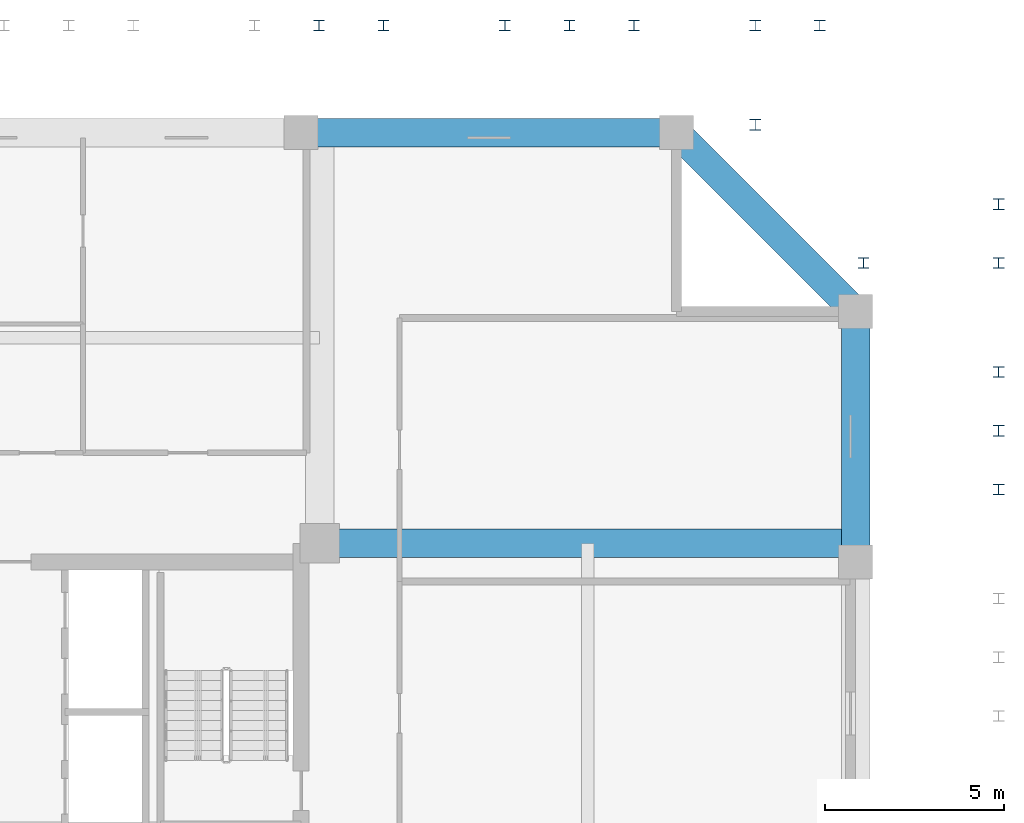
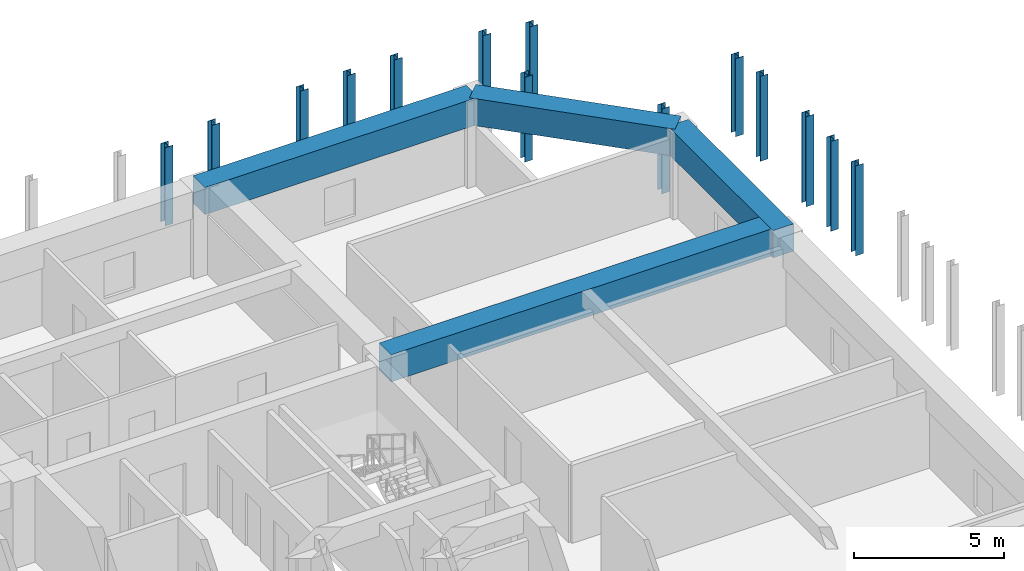
# One storey, part 6 of 13: 14 members, 4 beams.
"""IFC4 building model written with IfcOpenShell, lengths in metres."""

from ifc_helpers import new_model, si_unit, direction, frame, origin, origin_2d, place, context, subcontext, project, spatial, rectangle, i_section, extrude, source, transform, mapped, material, material_profile, profile_set, type_object, element, save


model = new_model("IFC4")

# Units and contexts
model_context = context("Model", 3, precision=1e-05, world=origin(), true_north=direction((0.0, 1.0)))
body_context = subcontext(model_context, "Body", "Model", "MODEL_VIEW")
ifc_project = project(units=[si_unit("LENGTHUNIT", "METRE"), si_unit("AREAUNIT", "SQUARE_METRE"), si_unit("VOLUMEUNIT", "CUBIC_METRE"), si_unit("PLANEANGLEUNIT", "RADIAN"), si_unit("MASSUNIT", "GRAM", prefix="KILO")], contexts=[model_context])

# Site, building, storey
site_placement = place(None, origin())
site = spatial("IfcSite", under=ifc_project, at=site_placement, CompositionType="ELEMENT")
building_placement = place(site_placement, origin())
building = spatial("IfcBuilding", under=site, at=building_placement, Name="Saelheon Loggia Tower", CompositionType="ELEMENT")
storey_placement = place(building_placement, frame((0.0, 0.0, 148.699951171875)))
storey = spatial("IfcBuildingStorey", under=building, at=storey_placement, Name="L47", CompositionType="ELEMENT", Elevation=148.699951171875)

# Members
ifc_material_1 = material(Name="Steel SM355", Category="steel")
ifc_material_profile_1 = material_profile(ifc_material_1, i_section(OverallWidth=0.300048828125, OverallDepth=0.300048828125, WebThickness=0.010009765625, FlangeThickness=0.014892578125, at=origin_2d()), Name="H-300x300x10x15")
ifc_profile_set_1 = profile_set([ifc_material_profile_1], Name="Steel SM355")
member_type_1 = type_object("IfcMemberType", Name="WaveCrest_Post_H300", PredefinedType="POST", material=ifc_profile_set_1)
shared_shape_1 = source(origin(), body_context, "Body", "SweptSolid", [
    extrude(i_section(OverallWidth=0.300048828125, OverallDepth=0.300048828125, WebThickness=0.010009765625, FlangeThickness=0.014892578125, at=origin_2d()), origin(), (0.0, 0.0, 1.0), 3.169921875),
])
for number, where, z_axis, x_axis, name in (
    (1, (64.0, 46.0, -0.14990234375), (0.0, 0.0, 1.0), (1.0, 0.0, 0.0), "Tier 1 Wave Crest Lower Post E 06"),
    (2, (45.0, 51.0, -0.14990234375), (0.0, 0.0, 1.0), (1.0, 0.0, 0.0), "Tier 1 Wave Crest Lower Post N 04"),
    (3, (59.0, 51.0, -0.14990234375), (0.0, 0.0, 1.0), (1.0, 0.0, 0.0), "Tier 1 Wave Crest Lower Post N 06"),
):
    element("IfcMember", number, at=place(storey_placement, frame(where, z_axis=z_axis, x_axis=x_axis)), inside=storey, type_object=member_type_1, Name=name, PredefinedType="POST", context=body_context, shape_type="MappedRepresentation", body=[
        mapped(shared_shape_1, transform((0.0, 0.0, 0.0), scale=1.0)),
    ])
shared_shape_2 = source(origin(), body_context, "Body", "SweptSolid", [
    extrude(i_section(OverallWidth=0.300048828125, OverallDepth=0.300048828125, WebThickness=0.010009765625, FlangeThickness=0.014892578125, at=origin_2d()), origin(), (0.0, 0.0, 1.0), 3.64990234375),
])
for number, where, z_axis, x_axis, name in (
    (4, (64.0, 39.666748046875, -0.14990234375), (0.0, 0.0, 1.0), (1.0, 0.0, 0.0), "Tier 1 Wave Crest Lower Post E 05"),
    (5, (64.0, 38.02197265625, -0.14990234375), (0.0, 0.0, 1.0), (1.0, 0.0, 0.0), "Tier 1 Rafter Outer Lower Post E 05"),
    (6, (64.0, 41.3115234375, -0.14990234375), (0.0, 0.0, 1.0), (1.0, 0.0, 0.0), "Tier 1 Rafter Outer Lower Post E 06"),
    (7, (52.0, 51.0, -0.14990234375), (0.0, 0.0, 1.0), (1.0, 0.0, 0.0), "Tier 1 Wave Crest Lower Post N 05"),
    (8, (50.1953125, 51.0, -0.14990234375), (0.0, 0.0, 1.0), (1.0, 0.0, 0.0), "Tier 1 Rafter Outer Lower Post N 05"),
    (9, (53.8046875, 51.0, -0.14990234375), (0.0, 0.0, 1.0), (1.0, 0.0, 0.0), "Tier 1 Rafter Outer Lower Post N 06"),
):
    element("IfcMember", number, at=place(storey_placement, frame(where, z_axis=z_axis, x_axis=x_axis)), inside=storey, type_object=member_type_1, Name=name, PredefinedType="POST", context=body_context, shape_type="MappedRepresentation", body=[
        mapped(shared_shape_2, transform((0.0, 0.0, 0.0), scale=1.0)),
    ])
shared_shape_3 = source(origin(), body_context, "Body", "SweptSolid", [
    extrude(i_section(OverallWidth=0.300048828125, OverallDepth=0.300048828125, WebThickness=0.010009765625, FlangeThickness=0.014892578125, at=origin_2d()), origin(), (0.0, 0.0, 1.0), 3.44189453125),
])
member_1_placement = place(storey_placement, frame((64.0, 44.355224609375, -0.14990234375), z_axis=(0.0, 0.0, 1.0), x_axis=(1.0, 0.0, 0.0)))
element("IfcMember", 10, at=member_1_placement, inside=storey, type_object=member_type_1, Name="Tier 1 Rafter Outer Lower Post E 06", PredefinedType="POST", context=body_context, shape_type="MappedRepresentation", body=[
    mapped(shared_shape_3, transform((0.0, 0.0, 0.0), scale=1.0)),
])
ifc_material_profile_2 = material_profile(ifc_material_1, i_section(OverallWidth=0.300048828125, OverallDepth=0.300048828125, WebThickness=0.010009765625, FlangeThickness=0.014892578125, at=origin_2d()), Name="H-300x300x10x15")
ifc_profile_set_2 = profile_set([ifc_material_profile_2], Name="Steel SM355")
member_type_2 = type_object("IfcMemberType", Name="Belt_Post_H300", PredefinedType="POST", material=ifc_profile_set_2)
member_2_placement = place(storey_placement, frame((60.219970703125, 44.355224609375, -0.14990234375), z_axis=(0.0, 0.0, 1.0), x_axis=(1.0, 0.0, 0.0)))
element("IfcMember", 11, at=member_2_placement, inside=storey, type_object=member_type_2, Name="Tier 1 Rafter Inner Lower Post E 06", PredefinedType="POST", context=body_context, shape_type="MappedRepresentation", body=[
    mapped(shared_shape_3, transform((0.0, 0.0, 0.0), scale=1.0)),
])
shared_shape_4 = source(origin(), body_context, "Body", "SweptSolid", [
    extrude(i_section(OverallWidth=0.300048828125, OverallDepth=0.300048828125, WebThickness=0.010009765625, FlangeThickness=0.014892578125, at=origin_2d()), origin(), (0.0, 0.0, 1.0), 3.446044921875),
])
for number, where, z_axis, x_axis, name in (
    (12, (46.8046875, 51.0, -0.14990234375), (0.0, 0.0, 1.0), (1.0, 0.0, 0.0), "Tier 1 Rafter Outer Lower Post N 05"),
    (13, (57.1953125, 51.0, -0.14990234375), (0.0, 0.0, 1.0), (1.0, 0.0, 0.0), "Tier 1 Rafter Outer Lower Post N 06"),
):
    element("IfcMember", number, at=place(storey_placement, frame(where, z_axis=z_axis, x_axis=x_axis)), inside=storey, type_object=member_type_1, Name=name, PredefinedType="POST", context=body_context, shape_type="MappedRepresentation", body=[
        mapped(shared_shape_4, transform((0.0, 0.0, 0.0), scale=1.0)),
    ])
member_3_placement = place(storey_placement, frame((57.1953125, 48.219970703125, -0.14990234375), z_axis=(0.0, 0.0, 1.0), x_axis=(1.0, 0.0, 0.0)))
element("IfcMember", 14, at=member_3_placement, inside=storey, type_object=member_type_2, Name="Tier 1 Rafter Inner Lower Post N 06", PredefinedType="POST", context=body_context, shape_type="MappedRepresentation", body=[
    mapped(shared_shape_4, transform((0.0, 0.0, 0.0), scale=1.0)),
])

# Beams
ifc_material_2 = material(Name="Concrete C50/60", Category="concrete")
ifc_material_profile_3 = material_profile(ifc_material_2, rectangle(XDim=0.800048828125, YDim=1.10009765625, at=origin_2d()), Name="RC-800x1100")
ifc_profile_set_3 = profile_set([ifc_material_profile_3], Name="Concrete C50/60")
beam_type_1 = type_object("IfcBeamType", Name="Beam_PerimSetback_RC800x1100", PredefinedType="BEAM", material=ifc_profile_set_3)
shared_shape_5 = source(origin(), body_context, "Body", "SweptSolid", [
    extrude(rectangle(XDim=0.800048828125, YDim=1.10009765625, at=origin_2d()), origin(), (0.0, 0.0, 1.0), 10.5),
])
beam_1_placement = place(storey_placement, frame((55.0, 48.0, 2.949951171875), z_axis=(-1.0, 0.0, 0.0), x_axis=(0.0, -1.0, 0.0)))
element("IfcBeam", 15, at=beam_1_placement, inside=storey, type_object=beam_type_1, Name="L47 Perimeter Frame Girder 09", PredefinedType="BEAM", context=body_context, shape_type="MappedRepresentation", body=[
    mapped(shared_shape_5, transform((0.0, 0.0, 0.0), scale=1.0)),
])
shared_shape_6 = source(origin(), body_context, "Body", "SweptSolid", [
    extrude(rectangle(XDim=0.800048828125, YDim=1.10009765625, at=origin_2d()), origin(), (0.0, 0.0, 1.0), 7.071044921875),
])
beam_2_placement = place(storey_placement, frame((60.0, 43.0, 2.949951171875), z_axis=(-0.707106781187, 0.707106781187, 0.0), x_axis=(-0.707106781187, -0.707106781187, 0.0)))
element("IfcBeam", 16, at=beam_2_placement, inside=storey, type_object=beam_type_1, Name="L47 Perimeter Frame Girder 08", PredefinedType="BEAM", context=body_context, shape_type="MappedRepresentation", body=[
    mapped(shared_shape_6, transform((0.0, 0.0, 0.0), scale=1.0)),
])
shared_shape_7 = source(origin(), body_context, "Body", "SweptSolid", [
    extrude(rectangle(XDim=0.800048828125, YDim=1.10009765625, at=origin_2d()), origin(), (0.0, 0.0, 1.0), 7.0),
])
beam_3_placement = place(storey_placement, frame((60.0, 36.0, 2.949951171875), z_axis=(0.0, 1.0, 0.0), x_axis=(-1.0, 0.0, 0.0)))
element("IfcBeam", 17, at=beam_3_placement, inside=storey, type_object=beam_type_1, Name="L47 Perimeter Frame Girder 07", PredefinedType="BEAM", context=body_context, shape_type="MappedRepresentation", body=[
    mapped(shared_shape_7, transform((0.0, 0.0, 0.0), scale=1.0)),
])
ifc_material_profile_4 = material_profile(ifc_material_2, rectangle(XDim=0.800048828125, YDim=1.10009765625, at=origin_2d()), Name="RC-800x1100")
ifc_profile_set_4 = profile_set([ifc_material_profile_4], Name="Concrete C50/60")
beam_type_2 = type_object("IfcBeamType", Name="Beam_SetbackTransfer_RC800x1100", PredefinedType="BEAM", material=ifc_profile_set_4)
shared_shape_8 = source(origin(), body_context, "Body", "SweptSolid", [
    extrude(rectangle(XDim=0.800048828125, YDim=1.10009765625, at=origin_2d()), origin(), (0.0, 0.0, 1.0), 14.97998046875),
])
beam_4_placement = place(storey_placement, frame((45.02001953125, 36.52001953125, 2.949951171875), z_axis=(1.0, 0.0, 0.0), x_axis=(0.0, 1.0, 0.0)))
element("IfcBeam", 18, at=beam_4_placement, inside=storey, type_object=beam_type_2, Name="L47 Radial Floor Girder RAD-NE-E", PredefinedType="BEAM", context=body_context, shape_type="MappedRepresentation", body=[
    mapped(shared_shape_8, transform((0.0, 0.0, 0.0), scale=1.0)),
])

save(model, "model.ifc")
